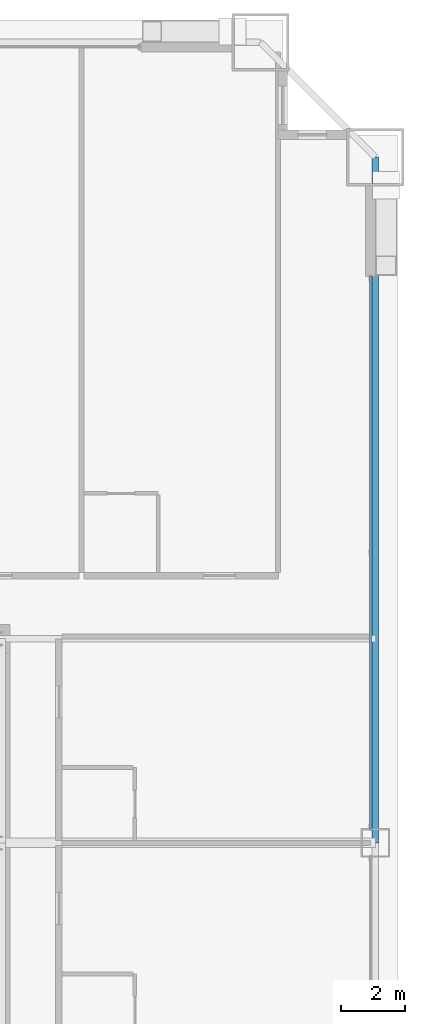
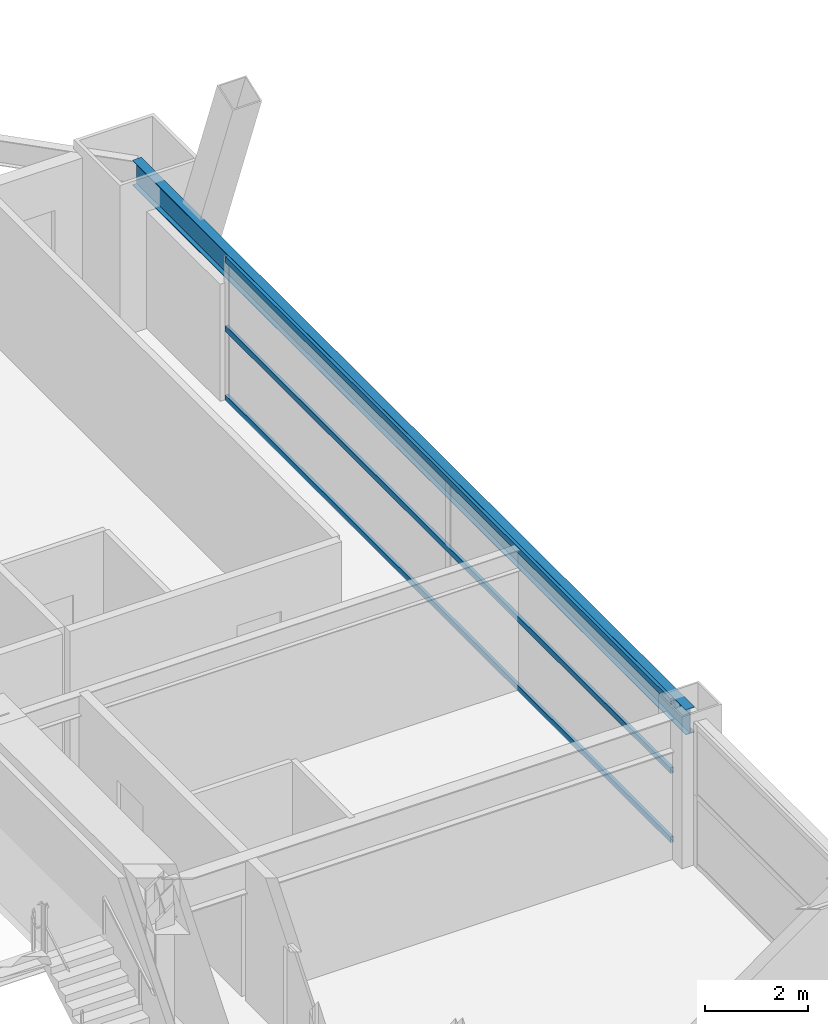
# One storey, part 33 of 43: 3 members, 1 beam, 1 element without a shape of its own.
"""IFC4 building model written with IfcOpenShell, lengths in metres."""

from ifc_helpers import new_model, si_unit, direction, frame, origin, origin_2d, place, context, subcontext, project, spatial, hollow_rectangle, i_section, extrude, source, transform, mapped, material, layer, layer_set, material_profile, profile_set, type_object, element, aggregate, save


model = new_model("IFC4")

# Units and contexts
model_context = context("Model", 3, precision=1e-05, world=origin(), true_north=direction((0.0, 1.0)))
body_context = subcontext(model_context, "Body", "Model", "MODEL_VIEW")
ifc_project = project(units=[si_unit("LENGTHUNIT", "METRE"), si_unit("AREAUNIT", "SQUARE_METRE"), si_unit("VOLUMEUNIT", "CUBIC_METRE"), si_unit("PLANEANGLEUNIT", "RADIAN"), si_unit("MASSUNIT", "GRAM", prefix="KILO"), si_unit("THERMODYNAMICTEMPERATUREUNIT", "KELVIN"), si_unit("POWERUNIT", "WATT")], contexts=[model_context])

# Site, building, storey
site_placement = place(None, origin())
site = spatial("IfcSite", under=ifc_project, at=site_placement, CompositionType="ELEMENT")
building_placement = place(site_placement, origin())
building = spatial("IfcBuilding", under=site, at=building_placement, Name="Yuzanri Waterfront Tower", CompositionType="ELEMENT")
storey_placement = place(building_placement, frame((0.0, 0.0, 46.0)))
storey = spatial("IfcBuildingStorey", under=building, at=storey_placement, Name="L11", CompositionType="ELEMENT", Elevation=46.0)

# Beam
ifc_material_1 = material(Name="Steel Q355B", Category="steel")
ifc_material_profile_1 = material_profile(ifc_material_1, i_section(OverallWidth=0.199951171875, OverallDepth=0.60009765625, WebThickness=0.010986328125, FlangeThickness=0.01708984375, at=origin_2d()), Name="HN 600x200x11x17")
ifc_profile_set_1 = profile_set([ifc_material_profile_1], Name="Steel Q355B")
beam_type = type_object("IfcBeamType", Name="Perimeter Spandrel Q355B HN 600x200", PredefinedType="SPANDREL", material=ifc_profile_set_1)
shared_shape_1 = source(origin(), body_context, "Body", "SweptSolid", [
    extrude(i_section(OverallWidth=0.199951171875, OverallDepth=0.60009765625, WebThickness=0.010986328125, FlangeThickness=0.01708984375, at=origin_2d()), origin(), (0.0, 0.0, 1.0), 21.5),
])
beam_placement = place(storey_placement, frame((62.10009765625, 25.800048828125, 3.080078125), z_axis=(0.0, 1.0, 0.0), x_axis=(-1.0, 0.0, 0.0)))
element("IfcBeam", 1, at=beam_placement, inside=storey, type_object=beam_type, Name="L11 Perimeter Spandrel E2-E3", PredefinedType="SPANDREL", context=body_context, shape_type="MappedRepresentation", body=[
    mapped(shared_shape_1, transform((0.0, 0.0, 0.0), scale=1.0)),
])

# Curtain wall, members
ifc_material_2 = material(Name="Anodized Architectural Bronze", Category="metal")
ifc_layer = layer(ifc_material_2, 0.159912109375)
ifc_layer_set = layer_set([ifc_layer], Name="Anodized Architectural Bronze")
curtain_wall_type = type_object("IfcCurtainWallType", Name="Anodized Bronze Hotel Lower-Tier Recessed Unitized Curtain Wall 8100", PredefinedType="NOTDEFINED", material=ifc_layer_set)
curtain_wall_placement = place(storey_placement, origin())
curtain_wall = element("IfcCurtainWall", 2, at=curtain_wall_placement, inside=storey, type_object=curtain_wall_type, Name="L11 Curtain Wall CW-L11-ER", PredefinedType="NOTDEFINED")
ifc_material_3 = material(Name="Anodized Architectural Bronze", Category="metal")
ifc_material_profile_2 = material_profile(ifc_material_3, hollow_rectangle(XDim=0.070068359375, YDim=0.135009765625, WallThickness=0.00341796875, at=origin_2d()), Name="CWT 70x135")
ifc_profile_set_2 = profile_set([ifc_material_profile_2], Name="Anodized Architectural Bronze")
member_type = type_object("IfcMemberType", Name="Anodized Bronze Standard Curtain-Wall Transom 70x135", PredefinedType="USERDEFINED", material=ifc_profile_set_2)
shared_shape_2 = source(origin(), body_context, "Body", "SweptSolid", [
    extrude(hollow_rectangle(XDim=0.070068359375, YDim=0.135009765625, WallThickness=0.00341796875, at=origin_2d()), origin(), (0.0, 0.0, 1.0), 17.300048828125),
])
member_1_placement = place(storey_placement, frame((61.949951171875, 26.25, 0.050048828125), z_axis=(0.0, 1.0, 0.0), x_axis=(-1.0, 0.0, 0.0)))
member_1 = element("IfcMember", 3, at=member_1_placement, type_object=member_type, Name="CW-L11-ER Transom 1", ObjectType="TRANSOM", PredefinedType="USERDEFINED", context=body_context, shape_type="MappedRepresentation", body=[
    mapped(shared_shape_2, transform((0.0, 0.0, 0.0), scale=1.0)),
])
member_2_placement = place(storey_placement, frame((61.949951171875, 26.25, 1.68994140625), z_axis=(0.0, 1.0, 0.0), x_axis=(-1.0, 0.0, 0.0)))
member_2 = element("IfcMember", 4, at=member_2_placement, type_object=member_type, Name="CW-L11-ER Transom 2", ObjectType="TRANSOM", PredefinedType="USERDEFINED", context=body_context, shape_type="MappedRepresentation", body=[
    mapped(shared_shape_2, transform((0.0, 0.0, 0.0), scale=1.0)),
])
member_3_placement = place(storey_placement, frame((61.949951171875, 26.25, 3.330078125), z_axis=(0.0, 1.0, 0.0), x_axis=(-1.0, 0.0, 0.0)))
member_3 = element("IfcMember", 5, at=member_3_placement, type_object=member_type, Name="CW-L11-ER Transom 3", ObjectType="TRANSOM", PredefinedType="USERDEFINED", context=body_context, shape_type="MappedRepresentation", body=[
    mapped(shared_shape_2, transform((0.0, 0.0, 0.0), scale=1.0)),
])
aggregate(curtain_wall, [member_1, member_2, member_3])

save(model, "model.ifc")
